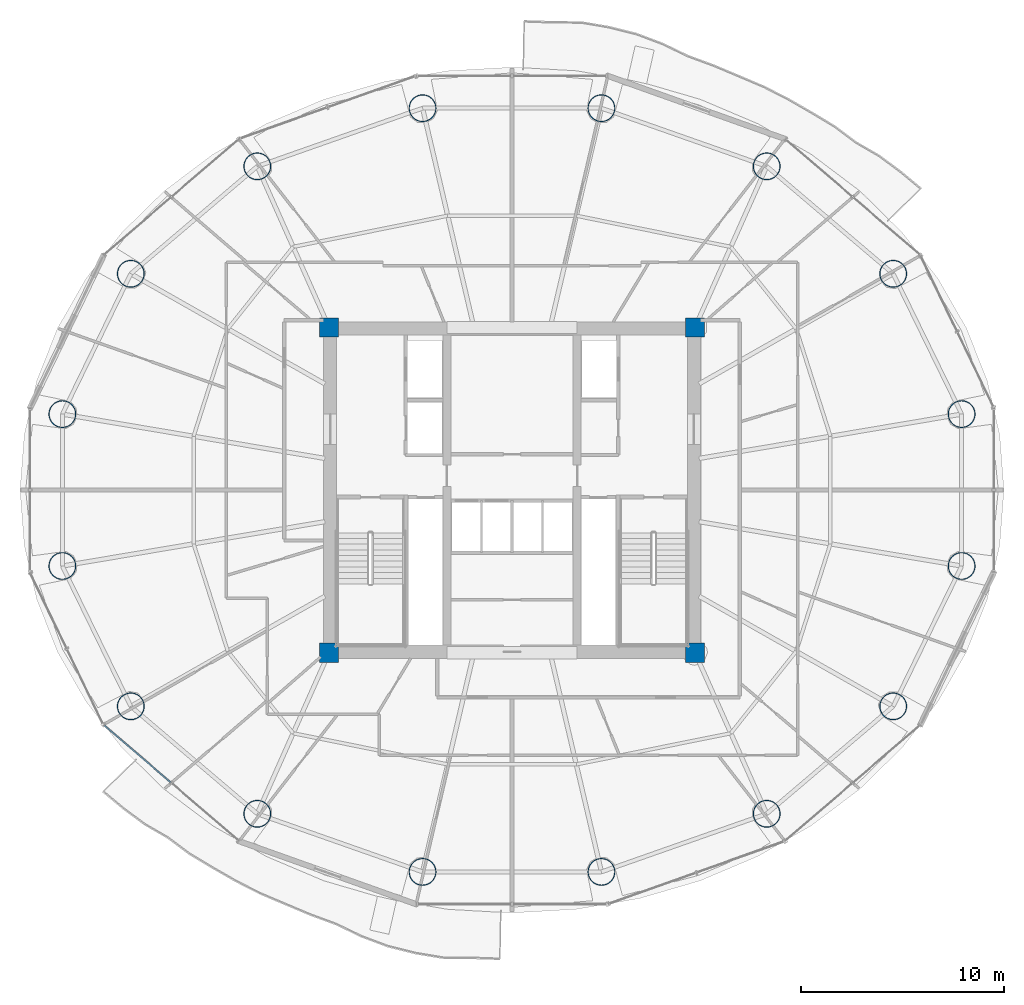
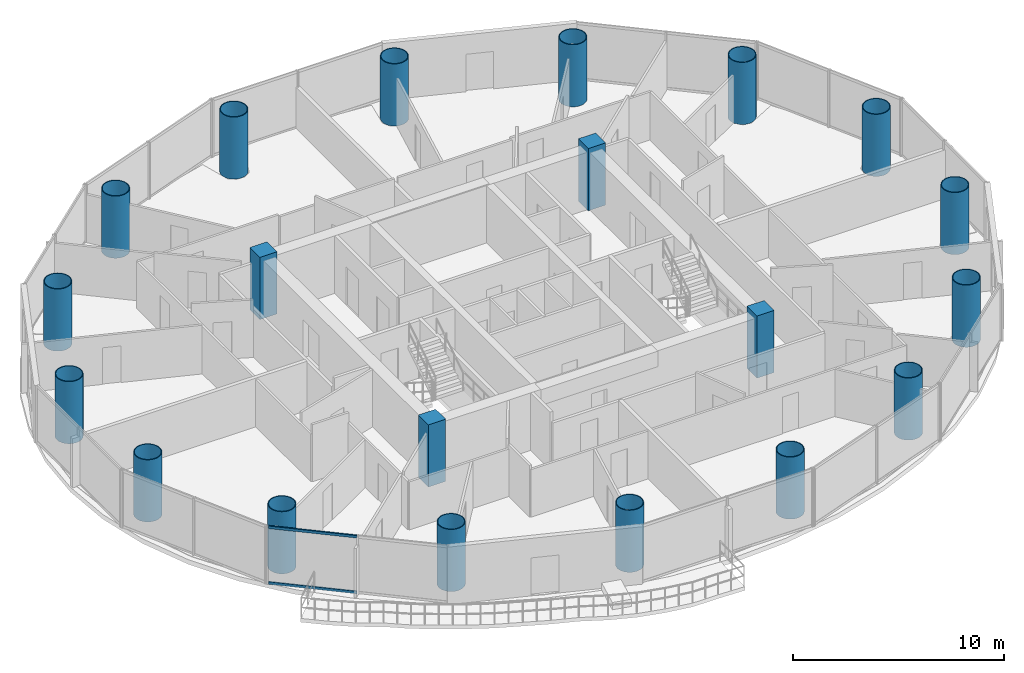
# One storey, part 1 of 27: 20 columns, 2 members, 1 element without a shape of its own.
"""IFC4 building model written with IfcOpenShell, lengths in metres."""

from ifc_helpers import new_model, si_unit, direction, frame, origin, origin_2d, place, context, subcontext, project, spatial, rectangle, hollow_rectangle, hollow_circle, extrude, source, transform, mapped, material, material_profile, profile_set, type_object, element, aggregate, save


model = new_model("IFC4")

# Units and contexts
model_context = context("Model", 3, precision=1e-05, world=origin(), true_north=direction((-0.2419218956, 0.970295726276)))
body_context = subcontext(model_context, "Body", "Model", "MODEL_VIEW")
ifc_project = project(units=[si_unit("LENGTHUNIT", "METRE"), si_unit("AREAUNIT", "SQUARE_METRE"), si_unit("VOLUMEUNIT", "CUBIC_METRE"), si_unit("PLANEANGLEUNIT", "RADIAN"), si_unit("MASSUNIT", "GRAM", prefix="KILO")], contexts=[model_context])

# Site, building, storey
site_placement = place(None, origin())
site = spatial("IfcSite", under=ifc_project, at=site_placement, CompositionType="ELEMENT")
building_placement = place(site_placement, origin())
building = spatial("IfcBuilding", under=site, at=building_placement, Name="Cobrevalo Terracotta Tower", CompositionType="ELEMENT")
storey_placement = place(building_placement, frame((0.0, 0.0, 160.60009765625)))
storey = spatial("IfcBuildingStorey", under=building, at=storey_placement, Name="L42", CompositionType="ELEMENT", Elevation=160.60009765625)

# Columns
ifc_material_1 = material(Name="Steel S355", Category="steel")
ifc_material_profile_1 = material_profile(ifc_material_1, hollow_circle(Radius=0.675048828125, WallThickness=0.0419921875, at=origin_2d()), Name="CHS 1350x42")
ifc_profile_set_1 = profile_set([ifc_material_profile_1], Name="Steel S355")
column_type_1 = type_object("IfcColumnType", Name="Structural Column CHS 1350x42 (Steel S355)", PredefinedType="COLUMN", material=ifc_profile_set_1)
for number, where, z_axis, x_axis, name in (
    (1, (60.11669921875, 30.535888671875, 0.0), (0.0, 0.0, 1.0), (1.0, 0.0, 0.0), "L42 composite megacolumn MC01"),
    (2, (56.749755859375, 37.439208984375, 0.0), (0.0, 0.0, 1.0), (1.0, 0.0, 0.0), "L42 composite megacolumn MC02"),
    (3, (50.528076171875, 42.72265625, 0.0), (0.0, 0.0, 1.0), (1.0, 0.0, 0.0), "L42 composite megacolumn MC03"),
    (4, (42.399169921875, 45.58203125, 0.0), (0.0, 0.0, 1.0), (1.0, 0.0, 0.0), "L42 composite megacolumn MC04"),
    (5, (33.600830078125, 45.58203125, 0.0), (0.0, 0.0, 1.0), (1.0, 0.0, 0.0), "L42 composite megacolumn MC05"),
    (6, (25.471923828125, 42.72265625, 0.0), (0.0, 0.0, 1.0), (1.0, 0.0, 0.0), "L42 composite megacolumn MC06"),
    (7, (19.250244140625, 37.439208984375, 0.0), (0.0, 0.0, 1.0), (1.0, 0.0, 0.0), "L42 composite megacolumn MC07"),
    (8, (15.88330078125, 30.535888671875, 0.0), (0.0, 0.0, 1.0), (1.0, 0.0, 0.0), "L42 composite megacolumn MC08"),
    (9, (15.88330078125, 23.06396484375, 0.0), (0.0, 0.0, 1.0), (1.0, 0.0, 0.0), "L42 composite megacolumn MC09"),
    (10, (19.250244140625, 16.160888671875, 0.0), (0.0, 0.0, 1.0), (1.0, 0.0, 0.0), "L42 composite megacolumn MC10"),
    (11, (25.471923828125, 10.87744140625, 0.0), (0.0, 0.0, 1.0), (1.0, 0.0, 0.0), "L42 composite megacolumn MC11"),
    (12, (33.600830078125, 8.01806640625, 0.0), (0.0, 0.0, 1.0), (1.0, 0.0, 0.0), "L42 composite megacolumn MC12"),
    (13, (42.399169921875, 8.01806640625, 0.0), (0.0, 0.0, 1.0), (1.0, 0.0, 0.0), "L42 composite megacolumn MC13"),
    (14, (50.528076171875, 10.87744140625, 0.0), (0.0, 0.0, 1.0), (1.0, 0.0, 0.0), "L42 composite megacolumn MC14"),
    (15, (56.749755859375, 16.160888671875, 0.0), (0.0, 0.0, 1.0), (1.0, 0.0, 0.0), "L42 composite megacolumn MC15"),
    (16, (60.11669921875, 23.06396484375, 0.0), (0.0, 0.0, 1.0), (1.0, 0.0, 0.0), "L42 composite megacolumn MC16"),
):
    element("IfcColumn", number, at=place(storey_placement, frame(where, z_axis=z_axis, x_axis=x_axis)), inside=storey, type_object=column_type_1, Name=name, PredefinedType="COLUMN", context=body_context, shape_type="SweptSolid", body=[
        extrude(hollow_circle(Radius=0.675048828125, WallThickness=0.0419921875, at=origin_2d()), origin(), (0.0, 0.0, 1.0), 3.599853515625),
    ])
ifc_material_2 = material(Name="Concrete C55", Category="concrete")
ifc_material_profile_2 = material_profile(ifc_material_2, rectangle(XDim=0.949951171875, YDim=0.949951171875, at=origin_2d()), Name="RC COL 950x950")
ifc_profile_set_2 = profile_set([ifc_material_profile_2], Name="Concrete C55")
column_type_2 = type_object("IfcColumnType", Name="Structural Column RC COL 950x950 (Concrete C55)", PredefinedType="COLUMN", material=ifc_profile_set_2)
for number, where, z_axis, x_axis, name in (
    (17, (29.0, 18.800048828125, 0.0), (0.0, 0.0, 1.0), (1.0, 0.0, 0.0), "L42 core corner column CC1"),
    (18, (47.0, 18.800048828125, 0.0), (0.0, 0.0, 1.0), (1.0, 0.0, 0.0), "L42 core corner column CC2"),
    (19, (47.0, 34.800048828125, 0.0), (0.0, 0.0, 1.0), (1.0, 0.0, 0.0), "L42 core corner column CC3"),
    (20, (29.0, 34.800048828125, 0.0), (0.0, 0.0, 1.0), (1.0, 0.0, 0.0), "L42 core corner column CC4"),
):
    element("IfcColumn", number, at=place(storey_placement, frame(where, z_axis=z_axis, x_axis=x_axis)), inside=storey, type_object=column_type_2, Name=name, PredefinedType="COLUMN", context=body_context, shape_type="SweptSolid", body=[
        extrude(rectangle(XDim=0.949951171875, YDim=0.949951171875, at=origin_2d()), origin(), (0.0, 0.0, 1.0), 3.599853515625),
    ])

# Curtain wall, members
ifc_material_3 = material(Name="Anodized aluminium", Category="aluminium")
curtain_wall_type = type_object("IfcCurtainWallType", Name="Mid-tower high-wind unitised curtain wall CW-U2", PredefinedType="NOTDEFINED", material=ifc_material_3)
curtain_wall_placement = place(storey_placement, origin())
curtain_wall = element("IfcCurtainWall", 21, at=curtain_wall_placement, inside=storey, type_object=curtain_wall_type, Name="L42 curtain wall CW-L42-S10", PredefinedType="NOTDEFINED")
ifc_material_profile_3 = material_profile(ifc_material_3, hollow_rectangle(XDim=0.074951171875, YDim=0.14990234375, WallThickness=0.00439453125, at=origin_2d()), Name="CWT 75x150")
ifc_profile_set_3 = profile_set([ifc_material_profile_3], Name="Anodized aluminium")
member_type = type_object("IfcMemberType", Name="Tower unitised aluminium transom 75x150", PredefinedType="USERDEFINED", material=ifc_profile_set_3)
shared_shape = source(origin(), body_context, "Body", "SweptSolid", [
    extrude(hollow_rectangle(XDim=0.074951171875, YDim=0.14990234375, WallThickness=0.00439453125, at=origin_2d()), origin(), (0.0, 0.0, 1.0), 4.276123046875),
])
member_1_placement = place(storey_placement, frame((17.964111328125, 15.208740234375, 0.0498046875), z_axis=(0.758417719247, -0.651768795764, 0.0), x_axis=(0.651768795764, 0.758417719247, 0.0)))
member_1 = element("IfcMember", 22, at=member_1_placement, type_object=member_type, Name="CW-L42-S10 transom B01-T1", ObjectType="TRANSOM", PredefinedType="USERDEFINED", context=body_context, shape_type="MappedRepresentation", body=[
    mapped(shared_shape, transform((0.0, 0.0, 0.0), scale=1.0)),
])
member_2_placement = place(storey_placement, frame((17.964111328125, 15.208740234375, 3.27978515625), z_axis=(0.758417719247, -0.651768795764, 0.0), x_axis=(0.651768795764, 0.758417719247, 0.0)))
member_2 = element("IfcMember", 23, at=member_2_placement, type_object=member_type, Name="CW-L42-S10 transom B01-T2", ObjectType="TRANSOM", PredefinedType="USERDEFINED", context=body_context, shape_type="MappedRepresentation", body=[
    mapped(shared_shape, transform((0.0, 0.0, 0.0), scale=1.0)),
])
aggregate(curtain_wall, [member_1, member_2])

save(model, "model.ifc")
